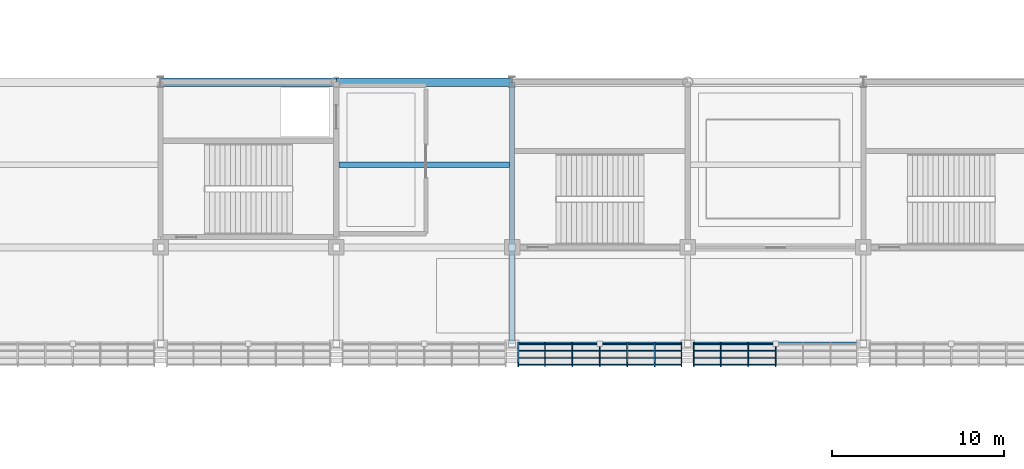
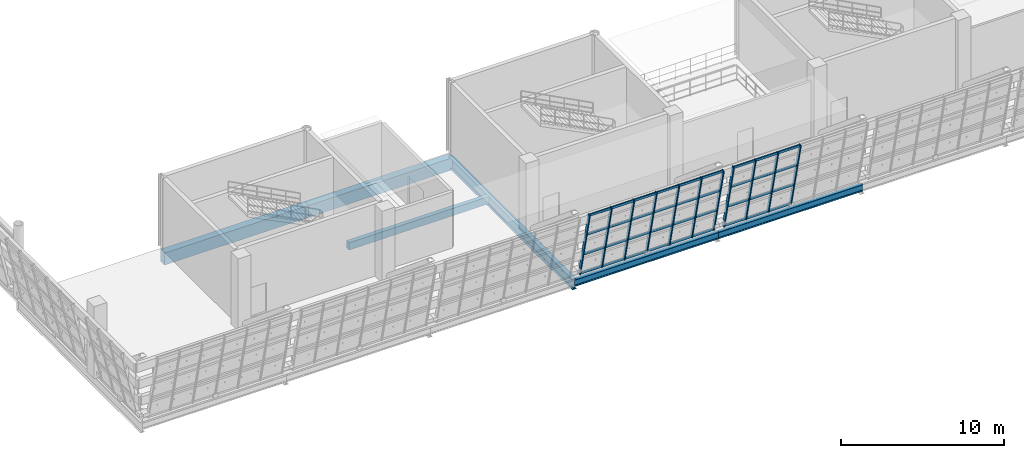
# One storey, part 24 of 175: 47 members, 6 beams, 2 elements without a shape of their own.
"""IFC4 building model written with IfcOpenShell, lengths in metres."""

from ifc_helpers import new_model, si_unit, direction, frame, origin, origin_2d, place, context, subcontext, project, spatial, rectangle, hollow_rectangle, i_section, extrude, material, material_profile, profile_set, type_object, element, aggregate, save


model = new_model("IFC4")

# Units and contexts
model_context = context("Model", 3, precision=1e-05, world=origin(), true_north=direction((0.0, 1.0)))
body_context = subcontext(model_context, "Body", "Model", "MODEL_VIEW")
ifc_project = project(units=[si_unit("LENGTHUNIT", "METRE"), si_unit("AREAUNIT", "SQUARE_METRE"), si_unit("VOLUMEUNIT", "CUBIC_METRE"), si_unit("PLANEANGLEUNIT", "RADIAN"), si_unit("MASSUNIT", "GRAM", prefix="KILO")], contexts=[model_context])

# Site, building, storey
site_placement = place(None, origin())
site = spatial("IfcSite", under=ifc_project, at=site_placement, CompositionType="ELEMENT")
building_placement = place(site_placement, origin())
building = spatial("IfcBuilding", under=site, at=building_placement, Name="Brelvane Convention Centre", CompositionType="ELEMENT")
storey_placement = place(building_placement, frame((0.0, 0.0, 5.39990234375)))
storey = spatial("IfcBuildingStorey", under=building, at=storey_placement, Name="L01", CompositionType="ELEMENT", Elevation=5.39990234375)

# Curtain wall, members
ifc_material_1 = material(Name="Anodised Aluminium Alloy 6063-T6", Category="aluminium")
curtain_wall_type = type_object("IfcCurtainWallType", Name="Curtain Wall CW-HULL-S", PredefinedType="USERDEFINED", material=ifc_material_1)
curtain_wall_1_placement = place(storey_placement, origin())
curtain_wall_1 = element("IfcCurtainWall", 1, at=curtain_wall_1_placement, inside=storey, type_object=curtain_wall_type, Name="Curtain Wall CW-HULL-S L01-HULL-S-L01-04", ObjectType="UNITISED", PredefinedType="USERDEFINED")
ifc_material_2 = material(Name="Anodised Aluminium Alloy 6063-T6", Category="aluminium")
ifc_material_profile_1 = material_profile(ifc_material_2, hollow_rectangle(XDim=0.080078125, YDim=0.239990234375, WallThickness=0.006103515625, InnerFilletRadius=0.006103515625, OuterFilletRadius=0.011962890625, at=origin_2d()), Name="ALU-M 240x80x6.0")
ifc_profile_set_1 = profile_set([ifc_material_profile_1], Name="Anodised Aluminium Alloy 6063-T6")
member_type_1 = type_object("IfcMemberType", Name="Curtain Mullion CW-M1", PredefinedType="MULLION", material=ifc_profile_set_1)
member_1_placement = place(storey_placement, frame((30.9599609375, 13.60009765625, 0.0), z_axis=(0.0, -0.228360162456, 0.973576723326), x_axis=(1.0, 0.0, 0.0)))
member_1 = element("IfcMember", 2, at=member_1_placement, type_object=member_type_1, Name="CW-HULL-S mullion 1", PredefinedType="MULLION", context=body_context, shape_type="SweptSolid", body=[
    extrude(hollow_rectangle(XDim=0.080078125, YDim=0.239990234375, WallThickness=0.006103515625, InnerFilletRadius=0.006103515625, OuterFilletRadius=0.011962890625, at=origin_2d()), origin(), (0.0, 0.0, 1.0), 5.2900390625),
])
member_2_placement = place(storey_placement, frame((32.513427734375, 13.60009765625, 0.0), z_axis=(0.0, -0.228360162456, 0.973576723326), x_axis=(1.0, 0.0, 0.0)))
member_2 = element("IfcMember", 3, at=member_2_placement, type_object=member_type_1, Name="CW-HULL-S mullion 2", PredefinedType="MULLION", context=body_context, shape_type="SweptSolid", body=[
    extrude(hollow_rectangle(XDim=0.080078125, YDim=0.239990234375, WallThickness=0.006103515625, InnerFilletRadius=0.006103515625, OuterFilletRadius=0.011962890625, at=origin_2d()), origin(), (0.0, 0.0, 1.0), 5.2900390625),
])
member_3_placement = place(storey_placement, frame((34.106689453125, 13.60009765625, 0.0), z_axis=(0.0, -0.228360162456, 0.973576723326), x_axis=(1.0, 0.0, 0.0)))
member_3 = element("IfcMember", 4, at=member_3_placement, type_object=member_type_1, Name="CW-HULL-S mullion 3", PredefinedType="MULLION", context=body_context, shape_type="SweptSolid", body=[
    extrude(hollow_rectangle(XDim=0.080078125, YDim=0.239990234375, WallThickness=0.006103515625, InnerFilletRadius=0.006103515625, OuterFilletRadius=0.011962890625, at=origin_2d()), origin(), (0.0, 0.0, 1.0), 5.2900390625),
])
member_4_placement = place(storey_placement, frame((35.699951171875, 13.60009765625, 0.0), z_axis=(0.0, -0.228360162456, 0.973576723326), x_axis=(1.0, 0.0, 0.0)))
member_4 = element("IfcMember", 5, at=member_4_placement, type_object=member_type_1, Name="CW-HULL-S mullion 4", PredefinedType="MULLION", context=body_context, shape_type="SweptSolid", body=[
    extrude(hollow_rectangle(XDim=0.080078125, YDim=0.239990234375, WallThickness=0.006103515625, InnerFilletRadius=0.006103515625, OuterFilletRadius=0.011962890625, at=origin_2d()), origin(), (0.0, 0.0, 1.0), 5.2900390625),
])
member_5_placement = place(storey_placement, frame((37.293212890625, 13.60009765625, 0.0), z_axis=(0.0, -0.228360162456, 0.973576723326), x_axis=(1.0, 0.0, 0.0)))
member_5 = element("IfcMember", 6, at=member_5_placement, type_object=member_type_1, Name="CW-HULL-S mullion 5", PredefinedType="MULLION", context=body_context, shape_type="SweptSolid", body=[
    extrude(hollow_rectangle(XDim=0.080078125, YDim=0.239990234375, WallThickness=0.006103515625, InnerFilletRadius=0.006103515625, OuterFilletRadius=0.011962890625, at=origin_2d()), origin(), (0.0, 0.0, 1.0), 5.2900390625),
])
member_6_placement = place(storey_placement, frame((38.88671875, 13.60009765625, 0.0), z_axis=(0.0, -0.228360162456, 0.973576723326), x_axis=(1.0, 0.0, 0.0)))
member_6 = element("IfcMember", 7, at=member_6_placement, type_object=member_type_1, Name="CW-HULL-S mullion 6", PredefinedType="MULLION", context=body_context, shape_type="SweptSolid", body=[
    extrude(hollow_rectangle(XDim=0.080078125, YDim=0.239990234375, WallThickness=0.006103515625, InnerFilletRadius=0.006103515625, OuterFilletRadius=0.011962890625, at=origin_2d()), origin(), (0.0, 0.0, 1.0), 5.2900390625),
])
member_7_placement = place(storey_placement, frame((40.43994140625, 13.60009765625, 0.0), z_axis=(0.0, -0.228360162456, 0.973576723326), x_axis=(1.0, 0.0, 0.0)))
member_7 = element("IfcMember", 8, at=member_7_placement, type_object=member_type_1, Name="CW-HULL-S mullion 7", PredefinedType="MULLION", context=body_context, shape_type="SweptSolid", body=[
    extrude(hollow_rectangle(XDim=0.080078125, YDim=0.239990234375, WallThickness=0.006103515625, InnerFilletRadius=0.006103515625, OuterFilletRadius=0.011962890625, at=origin_2d()), origin(), (0.0, 0.0, 1.0), 5.2900390625),
])

curtain_wall_2_placement = place(storey_placement, origin())
curtain_wall_2 = element("IfcCurtainWall", 9, at=curtain_wall_2_placement, inside=storey, type_object=curtain_wall_type, Name="Curtain Wall CW-HULL-S L01-HULL-S-L01-05", ObjectType="UNITISED", PredefinedType="USERDEFINED")
member_8_placement = place(storey_placement, frame((41.159912109375, 13.60009765625, 0.0), z_axis=(0.0, -0.228360162456, 0.973576723326), x_axis=(1.0, 0.0, 0.0)))
member_8 = element("IfcMember", 10, at=member_8_placement, type_object=member_type_1, Name="CW-HULL-S mullion 1", PredefinedType="MULLION", context=body_context, shape_type="SweptSolid", body=[
    extrude(hollow_rectangle(XDim=0.080078125, YDim=0.239990234375, WallThickness=0.006103515625, InnerFilletRadius=0.006103515625, OuterFilletRadius=0.011962890625, at=origin_2d()), origin(), (0.0, 0.0, 1.0), 5.2900390625),
])
member_9_placement = place(storey_placement, frame((42.71337890625, 13.60009765625, 0.0), z_axis=(0.0, -0.228360162456, 0.973576723326), x_axis=(1.0, 0.0, 0.0)))
member_9 = element("IfcMember", 11, at=member_9_placement, type_object=member_type_1, Name="CW-HULL-S mullion 2", PredefinedType="MULLION", context=body_context, shape_type="SweptSolid", body=[
    extrude(hollow_rectangle(XDim=0.080078125, YDim=0.239990234375, WallThickness=0.006103515625, InnerFilletRadius=0.006103515625, OuterFilletRadius=0.011962890625, at=origin_2d()), origin(), (0.0, 0.0, 1.0), 5.2900390625),
])
member_10_placement = place(storey_placement, frame((44.306640625, 13.60009765625, 0.0), z_axis=(0.0, -0.228360162456, 0.973576723326), x_axis=(1.0, 0.0, 0.0)))
member_10 = element("IfcMember", 12, at=member_10_placement, type_object=member_type_1, Name="CW-HULL-S mullion 3", PredefinedType="MULLION", context=body_context, shape_type="SweptSolid", body=[
    extrude(hollow_rectangle(XDim=0.080078125, YDim=0.239990234375, WallThickness=0.006103515625, InnerFilletRadius=0.006103515625, OuterFilletRadius=0.011962890625, at=origin_2d()), origin(), (0.0, 0.0, 1.0), 5.2900390625),
])
member_11_placement = place(storey_placement, frame((45.89990234375, 13.60009765625, 0.0), z_axis=(0.0, -0.228360162456, 0.973576723326), x_axis=(1.0, 0.0, 0.0)))
member_11 = element("IfcMember", 13, at=member_11_placement, type_object=member_type_1, Name="CW-HULL-S mullion 4", PredefinedType="MULLION", context=body_context, shape_type="SweptSolid", body=[
    extrude(hollow_rectangle(XDim=0.080078125, YDim=0.239990234375, WallThickness=0.006103515625, InnerFilletRadius=0.006103515625, OuterFilletRadius=0.011962890625, at=origin_2d()), origin(), (0.0, 0.0, 1.0), 5.2900390625),
])

# Member
ifc_material_3 = material(Name="Anodised Aluminium Alloy 6063-T6", Category="aluminium")
ifc_material_profile_2 = material_profile(ifc_material_3, hollow_rectangle(XDim=0.080078125, YDim=0.179931640625, WallThickness=0.0048828125, InnerFilletRadius=0.0048828125, OuterFilletRadius=0.010009765625, at=origin_2d()), Name="ALU-T 180x80x5.0")
ifc_profile_set_2 = profile_set([ifc_material_profile_2], Name="Anodised Aluminium Alloy 6063-T6")
member_type_2 = type_object("IfcMemberType", Name="Curtain Transom CW-T1", PredefinedType="USERDEFINED", material=ifc_profile_set_2)
member_12_placement = place(storey_placement, frame((31.0, 13.590576171875, 0.0400390625), z_axis=(1.0, 0.0, 0.0), x_axis=(0.0, 1.0, 0.0)))
member_12 = element("IfcMember", 14, at=member_12_placement, type_object=member_type_2, Name="CW-HULL-S transom 1.1", ObjectType="TRANSOM", PredefinedType="USERDEFINED", context=body_context, shape_type="SweptSolid", body=[
    extrude(hollow_rectangle(XDim=0.080078125, YDim=0.179931640625, WallThickness=0.0048828125, InnerFilletRadius=0.0048828125, OuterFilletRadius=0.010009765625, at=origin_2d()), origin(), (0.0, 0.0, 1.0), 1.473388671875),
])

member_13_placement = place(storey_placement, frame((31.0, 13.197265625, 1.716796875), z_axis=(1.0, 0.0, 0.0), x_axis=(0.0, 1.0, 0.0)))
member_13 = element("IfcMember", 15, at=member_13_placement, type_object=member_type_2, Name="CW-HULL-S transom 1.2", ObjectType="TRANSOM", PredefinedType="USERDEFINED", context=body_context, shape_type="SweptSolid", body=[
    extrude(hollow_rectangle(XDim=0.080078125, YDim=0.179931640625, WallThickness=0.0048828125, InnerFilletRadius=0.0048828125, OuterFilletRadius=0.010009765625, at=origin_2d()), origin(), (0.0, 0.0, 1.0), 1.473388671875),
])

member_14_placement = place(storey_placement, frame((31.0, 12.794677734375, 3.433349609375), z_axis=(1.0, 0.0, 0.0), x_axis=(0.0, 1.0, 0.0)))
member_14 = element("IfcMember", 16, at=member_14_placement, type_object=member_type_2, Name="CW-HULL-S transom 1.3", ObjectType="TRANSOM", PredefinedType="USERDEFINED", context=body_context, shape_type="SweptSolid", body=[
    extrude(hollow_rectangle(XDim=0.080078125, YDim=0.179931640625, WallThickness=0.0048828125, InnerFilletRadius=0.0048828125, OuterFilletRadius=0.010009765625, at=origin_2d()), origin(), (0.0, 0.0, 1.0), 1.473388671875),
])

member_15_placement = place(storey_placement, frame((31.0, 12.4013671875, 5.110107421875), z_axis=(1.0, 0.0, 0.0), x_axis=(0.0, 1.0, 0.0)))
member_15 = element("IfcMember", 17, at=member_15_placement, type_object=member_type_2, Name="CW-HULL-S transom 1.4", ObjectType="TRANSOM", PredefinedType="USERDEFINED", context=body_context, shape_type="SweptSolid", body=[
    extrude(hollow_rectangle(XDim=0.080078125, YDim=0.179931640625, WallThickness=0.0048828125, InnerFilletRadius=0.0048828125, OuterFilletRadius=0.010009765625, at=origin_2d()), origin(), (0.0, 0.0, 1.0), 1.473388671875),
])

member_16_placement = place(storey_placement, frame((32.55322265625, 13.590576171875, 0.0400390625), z_axis=(1.0, 0.0, 0.0), x_axis=(0.0, 1.0, 0.0)))
member_16 = element("IfcMember", 18, at=member_16_placement, type_object=member_type_2, Name="CW-HULL-S transom 2.1", ObjectType="TRANSOM", PredefinedType="USERDEFINED", context=body_context, shape_type="SweptSolid", body=[
    extrude(hollow_rectangle(XDim=0.080078125, YDim=0.179931640625, WallThickness=0.0048828125, InnerFilletRadius=0.0048828125, OuterFilletRadius=0.010009765625, at=origin_2d()), origin(), (0.0, 0.0, 1.0), 1.513427734375),
])

member_17_placement = place(storey_placement, frame((32.55322265625, 13.197265625, 1.716796875), z_axis=(1.0, 0.0, 0.0), x_axis=(0.0, 1.0, 0.0)))
member_17 = element("IfcMember", 19, at=member_17_placement, type_object=member_type_2, Name="CW-HULL-S transom 2.2", ObjectType="TRANSOM", PredefinedType="USERDEFINED", context=body_context, shape_type="SweptSolid", body=[
    extrude(hollow_rectangle(XDim=0.080078125, YDim=0.179931640625, WallThickness=0.0048828125, InnerFilletRadius=0.0048828125, OuterFilletRadius=0.010009765625, at=origin_2d()), origin(), (0.0, 0.0, 1.0), 1.513427734375),
])

member_18_placement = place(storey_placement, frame((32.55322265625, 12.794677734375, 3.433349609375), z_axis=(1.0, 0.0, 0.0), x_axis=(0.0, 1.0, 0.0)))
member_18 = element("IfcMember", 20, at=member_18_placement, type_object=member_type_2, Name="CW-HULL-S transom 2.3", ObjectType="TRANSOM", PredefinedType="USERDEFINED", context=body_context, shape_type="SweptSolid", body=[
    extrude(hollow_rectangle(XDim=0.080078125, YDim=0.179931640625, WallThickness=0.0048828125, InnerFilletRadius=0.0048828125, OuterFilletRadius=0.010009765625, at=origin_2d()), origin(), (0.0, 0.0, 1.0), 1.513427734375),
])

member_19_placement = place(storey_placement, frame((32.55322265625, 12.4013671875, 5.110107421875), z_axis=(1.0, 0.0, 0.0), x_axis=(0.0, 1.0, 0.0)))
member_19 = element("IfcMember", 21, at=member_19_placement, type_object=member_type_2, Name="CW-HULL-S transom 2.4", ObjectType="TRANSOM", PredefinedType="USERDEFINED", context=body_context, shape_type="SweptSolid", body=[
    extrude(hollow_rectangle(XDim=0.080078125, YDim=0.179931640625, WallThickness=0.0048828125, InnerFilletRadius=0.0048828125, OuterFilletRadius=0.010009765625, at=origin_2d()), origin(), (0.0, 0.0, 1.0), 1.513427734375),
])

member_20_placement = place(storey_placement, frame((34.146728515625, 13.590576171875, 0.0400390625), z_axis=(1.0, 0.0, 0.0), x_axis=(0.0, 1.0, 0.0)))
member_20 = element("IfcMember", 22, at=member_20_placement, type_object=member_type_2, Name="CW-HULL-S transom 3.1", ObjectType="TRANSOM", PredefinedType="USERDEFINED", context=body_context, shape_type="SweptSolid", body=[
    extrude(hollow_rectangle(XDim=0.080078125, YDim=0.179931640625, WallThickness=0.0048828125, InnerFilletRadius=0.0048828125, OuterFilletRadius=0.010009765625, at=origin_2d()), origin(), (0.0, 0.0, 1.0), 1.51318359375),
])

member_21_placement = place(storey_placement, frame((34.146728515625, 13.197265625, 1.716796875), z_axis=(1.0, 0.0, 0.0), x_axis=(0.0, 1.0, 0.0)))
member_21 = element("IfcMember", 23, at=member_21_placement, type_object=member_type_2, Name="CW-HULL-S transom 3.2", ObjectType="TRANSOM", PredefinedType="USERDEFINED", context=body_context, shape_type="SweptSolid", body=[
    extrude(hollow_rectangle(XDim=0.080078125, YDim=0.179931640625, WallThickness=0.0048828125, InnerFilletRadius=0.0048828125, OuterFilletRadius=0.010009765625, at=origin_2d()), origin(), (0.0, 0.0, 1.0), 1.51318359375),
])

member_22_placement = place(storey_placement, frame((34.146728515625, 12.794677734375, 3.433349609375), z_axis=(1.0, 0.0, 0.0), x_axis=(0.0, 1.0, 0.0)))
member_22 = element("IfcMember", 24, at=member_22_placement, type_object=member_type_2, Name="CW-HULL-S transom 3.3", ObjectType="TRANSOM", PredefinedType="USERDEFINED", context=body_context, shape_type="SweptSolid", body=[
    extrude(hollow_rectangle(XDim=0.080078125, YDim=0.179931640625, WallThickness=0.0048828125, InnerFilletRadius=0.0048828125, OuterFilletRadius=0.010009765625, at=origin_2d()), origin(), (0.0, 0.0, 1.0), 1.51318359375),
])

member_23_placement = place(storey_placement, frame((34.146728515625, 12.4013671875, 5.110107421875), z_axis=(1.0, 0.0, 0.0), x_axis=(0.0, 1.0, 0.0)))
member_23 = element("IfcMember", 25, at=member_23_placement, type_object=member_type_2, Name="CW-HULL-S transom 3.4", ObjectType="TRANSOM", PredefinedType="USERDEFINED", context=body_context, shape_type="SweptSolid", body=[
    extrude(hollow_rectangle(XDim=0.080078125, YDim=0.179931640625, WallThickness=0.0048828125, InnerFilletRadius=0.0048828125, OuterFilletRadius=0.010009765625, at=origin_2d()), origin(), (0.0, 0.0, 1.0), 1.51318359375),
])

member_24_placement = place(storey_placement, frame((35.739990234375, 13.590576171875, 0.0400390625), z_axis=(1.0, 0.0, 0.0), x_axis=(0.0, 1.0, 0.0)))
member_24 = element("IfcMember", 26, at=member_24_placement, type_object=member_type_2, Name="CW-HULL-S transom 4.1", ObjectType="TRANSOM", PredefinedType="USERDEFINED", context=body_context, shape_type="SweptSolid", body=[
    extrude(hollow_rectangle(XDim=0.080078125, YDim=0.179931640625, WallThickness=0.0048828125, InnerFilletRadius=0.0048828125, OuterFilletRadius=0.010009765625, at=origin_2d()), origin(), (0.0, 0.0, 1.0), 1.513427734375),
])

member_25_placement = place(storey_placement, frame((35.739990234375, 13.197265625, 1.716796875), z_axis=(1.0, 0.0, 0.0), x_axis=(0.0, 1.0, 0.0)))
member_25 = element("IfcMember", 27, at=member_25_placement, type_object=member_type_2, Name="CW-HULL-S transom 4.2", ObjectType="TRANSOM", PredefinedType="USERDEFINED", context=body_context, shape_type="SweptSolid", body=[
    extrude(hollow_rectangle(XDim=0.080078125, YDim=0.179931640625, WallThickness=0.0048828125, InnerFilletRadius=0.0048828125, OuterFilletRadius=0.010009765625, at=origin_2d()), origin(), (0.0, 0.0, 1.0), 1.513427734375),
])

member_26_placement = place(storey_placement, frame((35.739990234375, 12.794677734375, 3.433349609375), z_axis=(1.0, 0.0, 0.0), x_axis=(0.0, 1.0, 0.0)))
member_26 = element("IfcMember", 28, at=member_26_placement, type_object=member_type_2, Name="CW-HULL-S transom 4.3", ObjectType="TRANSOM", PredefinedType="USERDEFINED", context=body_context, shape_type="SweptSolid", body=[
    extrude(hollow_rectangle(XDim=0.080078125, YDim=0.179931640625, WallThickness=0.0048828125, InnerFilletRadius=0.0048828125, OuterFilletRadius=0.010009765625, at=origin_2d()), origin(), (0.0, 0.0, 1.0), 1.513427734375),
])

member_27_placement = place(storey_placement, frame((35.739990234375, 12.4013671875, 5.110107421875), z_axis=(1.0, 0.0, 0.0), x_axis=(0.0, 1.0, 0.0)))
member_27 = element("IfcMember", 29, at=member_27_placement, type_object=member_type_2, Name="CW-HULL-S transom 4.4", ObjectType="TRANSOM", PredefinedType="USERDEFINED", context=body_context, shape_type="SweptSolid", body=[
    extrude(hollow_rectangle(XDim=0.080078125, YDim=0.179931640625, WallThickness=0.0048828125, InnerFilletRadius=0.0048828125, OuterFilletRadius=0.010009765625, at=origin_2d()), origin(), (0.0, 0.0, 1.0), 1.513427734375),
])

member_28_placement = place(storey_placement, frame((37.333251953125, 13.590576171875, 0.0400390625), z_axis=(1.0, 0.0, 0.0), x_axis=(0.0, 1.0, 0.0)))
member_28 = element("IfcMember", 30, at=member_28_placement, type_object=member_type_2, Name="CW-HULL-S transom 5.1", ObjectType="TRANSOM", PredefinedType="USERDEFINED", context=body_context, shape_type="SweptSolid", body=[
    extrude(hollow_rectangle(XDim=0.080078125, YDim=0.179931640625, WallThickness=0.0048828125, InnerFilletRadius=0.0048828125, OuterFilletRadius=0.010009765625, at=origin_2d()), origin(), (0.0, 0.0, 1.0), 1.513427734375),
])

member_29_placement = place(storey_placement, frame((37.333251953125, 13.197265625, 1.716796875), z_axis=(1.0, 0.0, 0.0), x_axis=(0.0, 1.0, 0.0)))
member_29 = element("IfcMember", 31, at=member_29_placement, type_object=member_type_2, Name="CW-HULL-S transom 5.2", ObjectType="TRANSOM", PredefinedType="USERDEFINED", context=body_context, shape_type="SweptSolid", body=[
    extrude(hollow_rectangle(XDim=0.080078125, YDim=0.179931640625, WallThickness=0.0048828125, InnerFilletRadius=0.0048828125, OuterFilletRadius=0.010009765625, at=origin_2d()), origin(), (0.0, 0.0, 1.0), 1.513427734375),
])

member_30_placement = place(storey_placement, frame((37.333251953125, 12.794677734375, 3.433349609375), z_axis=(1.0, 0.0, 0.0), x_axis=(0.0, 1.0, 0.0)))
member_30 = element("IfcMember", 32, at=member_30_placement, type_object=member_type_2, Name="CW-HULL-S transom 5.3", ObjectType="TRANSOM", PredefinedType="USERDEFINED", context=body_context, shape_type="SweptSolid", body=[
    extrude(hollow_rectangle(XDim=0.080078125, YDim=0.179931640625, WallThickness=0.0048828125, InnerFilletRadius=0.0048828125, OuterFilletRadius=0.010009765625, at=origin_2d()), origin(), (0.0, 0.0, 1.0), 1.513427734375),
])

member_31_placement = place(storey_placement, frame((37.333251953125, 12.4013671875, 5.110107421875), z_axis=(1.0, 0.0, 0.0), x_axis=(0.0, 1.0, 0.0)))
member_31 = element("IfcMember", 33, at=member_31_placement, type_object=member_type_2, Name="CW-HULL-S transom 5.4", ObjectType="TRANSOM", PredefinedType="USERDEFINED", context=body_context, shape_type="SweptSolid", body=[
    extrude(hollow_rectangle(XDim=0.080078125, YDim=0.179931640625, WallThickness=0.0048828125, InnerFilletRadius=0.0048828125, OuterFilletRadius=0.010009765625, at=origin_2d()), origin(), (0.0, 0.0, 1.0), 1.513427734375),
])

member_32_placement = place(storey_placement, frame((38.9267578125, 13.590576171875, 0.0400390625), z_axis=(1.0, 0.0, 0.0), x_axis=(0.0, 1.0, 0.0)))
member_32 = element("IfcMember", 34, at=member_32_placement, type_object=member_type_2, Name="CW-HULL-S transom 6.1", ObjectType="TRANSOM", PredefinedType="USERDEFINED", context=body_context, shape_type="SweptSolid", body=[
    extrude(hollow_rectangle(XDim=0.080078125, YDim=0.179931640625, WallThickness=0.0048828125, InnerFilletRadius=0.0048828125, OuterFilletRadius=0.010009765625, at=origin_2d()), origin(), (0.0, 0.0, 1.0), 1.47314453125),
])

member_33_placement = place(storey_placement, frame((38.9267578125, 13.197265625, 1.716796875), z_axis=(1.0, 0.0, 0.0), x_axis=(0.0, 1.0, 0.0)))
member_33 = element("IfcMember", 35, at=member_33_placement, type_object=member_type_2, Name="CW-HULL-S transom 6.2", ObjectType="TRANSOM", PredefinedType="USERDEFINED", context=body_context, shape_type="SweptSolid", body=[
    extrude(hollow_rectangle(XDim=0.080078125, YDim=0.179931640625, WallThickness=0.0048828125, InnerFilletRadius=0.0048828125, OuterFilletRadius=0.010009765625, at=origin_2d()), origin(), (0.0, 0.0, 1.0), 1.47314453125),
])

member_34_placement = place(storey_placement, frame((38.9267578125, 12.794677734375, 3.433349609375), z_axis=(1.0, 0.0, 0.0), x_axis=(0.0, 1.0, 0.0)))
member_34 = element("IfcMember", 36, at=member_34_placement, type_object=member_type_2, Name="CW-HULL-S transom 6.3", ObjectType="TRANSOM", PredefinedType="USERDEFINED", context=body_context, shape_type="SweptSolid", body=[
    extrude(hollow_rectangle(XDim=0.080078125, YDim=0.179931640625, WallThickness=0.0048828125, InnerFilletRadius=0.0048828125, OuterFilletRadius=0.010009765625, at=origin_2d()), origin(), (0.0, 0.0, 1.0), 1.47314453125),
])

member_35_placement = place(storey_placement, frame((38.9267578125, 12.4013671875, 5.110107421875), z_axis=(1.0, 0.0, 0.0), x_axis=(0.0, 1.0, 0.0)))
member_35 = element("IfcMember", 37, at=member_35_placement, type_object=member_type_2, Name="CW-HULL-S transom 6.4", ObjectType="TRANSOM", PredefinedType="USERDEFINED", context=body_context, shape_type="SweptSolid", body=[
    extrude(hollow_rectangle(XDim=0.080078125, YDim=0.179931640625, WallThickness=0.0048828125, InnerFilletRadius=0.0048828125, OuterFilletRadius=0.010009765625, at=origin_2d()), origin(), (0.0, 0.0, 1.0), 1.47314453125),
])

aggregate(curtain_wall_1, [member_1, member_2, member_3, member_4, member_5, member_6, member_7, member_12, member_13, member_14, member_15, member_16, member_17, member_18, member_19, member_20, member_21, member_22, member_23, member_24, member_25, member_26, member_27, member_28, member_29, member_30, member_31, member_32, member_33, member_34, member_35])

member_36_placement = place(storey_placement, frame((41.199951171875, 13.590576171875, 0.0400390625), z_axis=(1.0, 0.0, 0.0), x_axis=(0.0, 1.0, 0.0)))
member_36 = element("IfcMember", 38, at=member_36_placement, type_object=member_type_2, Name="CW-HULL-S transom 1.1", ObjectType="TRANSOM", PredefinedType="USERDEFINED", context=body_context, shape_type="SweptSolid", body=[
    extrude(hollow_rectangle(XDim=0.080078125, YDim=0.179931640625, WallThickness=0.0048828125, InnerFilletRadius=0.0048828125, OuterFilletRadius=0.010009765625, at=origin_2d()), origin(), (0.0, 0.0, 1.0), 1.473388671875),
])

member_37_placement = place(storey_placement, frame((41.199951171875, 13.197265625, 1.716796875), z_axis=(1.0, 0.0, 0.0), x_axis=(0.0, 1.0, 0.0)))
member_37 = element("IfcMember", 39, at=member_37_placement, type_object=member_type_2, Name="CW-HULL-S transom 1.2", ObjectType="TRANSOM", PredefinedType="USERDEFINED", context=body_context, shape_type="SweptSolid", body=[
    extrude(hollow_rectangle(XDim=0.080078125, YDim=0.179931640625, WallThickness=0.0048828125, InnerFilletRadius=0.0048828125, OuterFilletRadius=0.010009765625, at=origin_2d()), origin(), (0.0, 0.0, 1.0), 1.473388671875),
])

member_38_placement = place(storey_placement, frame((41.199951171875, 12.794677734375, 3.433349609375), z_axis=(1.0, 0.0, 0.0), x_axis=(0.0, 1.0, 0.0)))
member_38 = element("IfcMember", 40, at=member_38_placement, type_object=member_type_2, Name="CW-HULL-S transom 1.3", ObjectType="TRANSOM", PredefinedType="USERDEFINED", context=body_context, shape_type="SweptSolid", body=[
    extrude(hollow_rectangle(XDim=0.080078125, YDim=0.179931640625, WallThickness=0.0048828125, InnerFilletRadius=0.0048828125, OuterFilletRadius=0.010009765625, at=origin_2d()), origin(), (0.0, 0.0, 1.0), 1.473388671875),
])

member_39_placement = place(storey_placement, frame((41.199951171875, 12.4013671875, 5.110107421875), z_axis=(1.0, 0.0, 0.0), x_axis=(0.0, 1.0, 0.0)))
member_39 = element("IfcMember", 41, at=member_39_placement, type_object=member_type_2, Name="CW-HULL-S transom 1.4", ObjectType="TRANSOM", PredefinedType="USERDEFINED", context=body_context, shape_type="SweptSolid", body=[
    extrude(hollow_rectangle(XDim=0.080078125, YDim=0.179931640625, WallThickness=0.0048828125, InnerFilletRadius=0.0048828125, OuterFilletRadius=0.010009765625, at=origin_2d()), origin(), (0.0, 0.0, 1.0), 1.473388671875),
])

member_40_placement = place(storey_placement, frame((42.75341796875, 13.590576171875, 0.0400390625), z_axis=(1.0, 0.0, 0.0), x_axis=(0.0, 1.0, 0.0)))
member_40 = element("IfcMember", 42, at=member_40_placement, type_object=member_type_2, Name="CW-HULL-S transom 2.1", ObjectType="TRANSOM", PredefinedType="USERDEFINED", context=body_context, shape_type="SweptSolid", body=[
    extrude(hollow_rectangle(XDim=0.080078125, YDim=0.179931640625, WallThickness=0.0048828125, InnerFilletRadius=0.0048828125, OuterFilletRadius=0.010009765625, at=origin_2d()), origin(), (0.0, 0.0, 1.0), 1.51318359375),
])

member_41_placement = place(storey_placement, frame((42.75341796875, 13.197265625, 1.716796875), z_axis=(1.0, 0.0, 0.0), x_axis=(0.0, 1.0, 0.0)))
member_41 = element("IfcMember", 43, at=member_41_placement, type_object=member_type_2, Name="CW-HULL-S transom 2.2", ObjectType="TRANSOM", PredefinedType="USERDEFINED", context=body_context, shape_type="SweptSolid", body=[
    extrude(hollow_rectangle(XDim=0.080078125, YDim=0.179931640625, WallThickness=0.0048828125, InnerFilletRadius=0.0048828125, OuterFilletRadius=0.010009765625, at=origin_2d()), origin(), (0.0, 0.0, 1.0), 1.51318359375),
])

member_42_placement = place(storey_placement, frame((42.75341796875, 12.794677734375, 3.433349609375), z_axis=(1.0, 0.0, 0.0), x_axis=(0.0, 1.0, 0.0)))
member_42 = element("IfcMember", 44, at=member_42_placement, type_object=member_type_2, Name="CW-HULL-S transom 2.3", ObjectType="TRANSOM", PredefinedType="USERDEFINED", context=body_context, shape_type="SweptSolid", body=[
    extrude(hollow_rectangle(XDim=0.080078125, YDim=0.179931640625, WallThickness=0.0048828125, InnerFilletRadius=0.0048828125, OuterFilletRadius=0.010009765625, at=origin_2d()), origin(), (0.0, 0.0, 1.0), 1.51318359375),
])

member_43_placement = place(storey_placement, frame((42.75341796875, 12.4013671875, 5.110107421875), z_axis=(1.0, 0.0, 0.0), x_axis=(0.0, 1.0, 0.0)))
member_43 = element("IfcMember", 45, at=member_43_placement, type_object=member_type_2, Name="CW-HULL-S transom 2.4", ObjectType="TRANSOM", PredefinedType="USERDEFINED", context=body_context, shape_type="SweptSolid", body=[
    extrude(hollow_rectangle(XDim=0.080078125, YDim=0.179931640625, WallThickness=0.0048828125, InnerFilletRadius=0.0048828125, OuterFilletRadius=0.010009765625, at=origin_2d()), origin(), (0.0, 0.0, 1.0), 1.51318359375),
])

member_44_placement = place(storey_placement, frame((44.3466796875, 13.590576171875, 0.0400390625), z_axis=(1.0, 0.0, 0.0), x_axis=(0.0, 1.0, 0.0)))
member_44 = element("IfcMember", 46, at=member_44_placement, type_object=member_type_2, Name="CW-HULL-S transom 3.1", ObjectType="TRANSOM", PredefinedType="USERDEFINED", context=body_context, shape_type="SweptSolid", body=[
    extrude(hollow_rectangle(XDim=0.080078125, YDim=0.179931640625, WallThickness=0.0048828125, InnerFilletRadius=0.0048828125, OuterFilletRadius=0.010009765625, at=origin_2d()), origin(), (0.0, 0.0, 1.0), 1.513427734375),
])

member_45_placement = place(storey_placement, frame((44.3466796875, 13.197265625, 1.716796875), z_axis=(1.0, 0.0, 0.0), x_axis=(0.0, 1.0, 0.0)))
member_45 = element("IfcMember", 47, at=member_45_placement, type_object=member_type_2, Name="CW-HULL-S transom 3.2", ObjectType="TRANSOM", PredefinedType="USERDEFINED", context=body_context, shape_type="SweptSolid", body=[
    extrude(hollow_rectangle(XDim=0.080078125, YDim=0.179931640625, WallThickness=0.0048828125, InnerFilletRadius=0.0048828125, OuterFilletRadius=0.010009765625, at=origin_2d()), origin(), (0.0, 0.0, 1.0), 1.513427734375),
])

member_46_placement = place(storey_placement, frame((44.3466796875, 12.794677734375, 3.433349609375), z_axis=(1.0, 0.0, 0.0), x_axis=(0.0, 1.0, 0.0)))
member_46 = element("IfcMember", 48, at=member_46_placement, type_object=member_type_2, Name="CW-HULL-S transom 3.3", ObjectType="TRANSOM", PredefinedType="USERDEFINED", context=body_context, shape_type="SweptSolid", body=[
    extrude(hollow_rectangle(XDim=0.080078125, YDim=0.179931640625, WallThickness=0.0048828125, InnerFilletRadius=0.0048828125, OuterFilletRadius=0.010009765625, at=origin_2d()), origin(), (0.0, 0.0, 1.0), 1.513427734375),
])

member_47_placement = place(storey_placement, frame((44.3466796875, 12.4013671875, 5.110107421875), z_axis=(1.0, 0.0, 0.0), x_axis=(0.0, 1.0, 0.0)))
member_47 = element("IfcMember", 49, at=member_47_placement, type_object=member_type_2, Name="CW-HULL-S transom 3.4", ObjectType="TRANSOM", PredefinedType="USERDEFINED", context=body_context, shape_type="SweptSolid", body=[
    extrude(hollow_rectangle(XDim=0.080078125, YDim=0.179931640625, WallThickness=0.0048828125, InnerFilletRadius=0.0048828125, OuterFilletRadius=0.010009765625, at=origin_2d()), origin(), (0.0, 0.0, 1.0), 1.513427734375),
])

aggregate(curtain_wall_2, [member_8, member_9, member_10, member_11, member_36, member_37, member_38, member_39, member_40, member_41, member_42, member_43, member_44, member_45, member_46, member_47])

# Beams
ifc_material_4 = material(Name="Concrete M40", Category="concrete")
ifc_material_profile_3 = material_profile(ifc_material_4, rectangle(XDim=0.5, YDim=0.89990234375, at=origin_2d()), Name="RC 500x900")
ifc_profile_set_3 = profile_set([ifc_material_profile_3], Name="Concrete M40")
beam_type_1 = type_object("IfcBeamType", Name="RC Beam B-RC4 (RC 500x900)", PredefinedType="BEAM", material=ifc_profile_set_3)
beam_1_placement = place(storey_placement, frame((10.199951171875, 28.800048828125, -0.7099609375), z_axis=(1.0, 0.0, 0.0), x_axis=(0.0, 1.0, 0.0)))
element("IfcBeam", 50, at=beam_1_placement, inside=storey, type_object=beam_type_1, Name="L01 Beam 2-3/D", PredefinedType="BEAM", context=body_context, shape_type="SweptSolid", body=[
    extrude(rectangle(XDim=0.5, YDim=0.89990234375, at=origin_2d()), origin(), (0.0, 0.0, 1.0), 10.199951171875),
])
beam_2_placement = place(storey_placement, frame((20.39990234375, 28.800048828125, -0.7099609375), z_axis=(1.0, 0.0, 0.0), x_axis=(0.0, 1.0, 0.0)))
element("IfcBeam", 51, at=beam_2_placement, inside=storey, type_object=beam_type_1, Name="L01 Beam 3-4/D", PredefinedType="BEAM", context=body_context, shape_type="SweptSolid", body=[
    extrude(rectangle(XDim=0.5, YDim=0.89990234375, at=origin_2d()), origin(), (0.0, 0.0, 1.0), 10.2001953125),
])
ifc_material_5 = material(Name="Concrete M40", Category="concrete")
ifc_material_profile_4 = material_profile(ifc_material_5, rectangle(XDim=0.300048828125, YDim=0.550048828125, at=origin_2d()), Name="RC 300x550")
ifc_profile_set_4 = profile_set([ifc_material_profile_4], Name="Concrete M40")
beam_type_2 = type_object("IfcBeamType", Name="RC Joist J-RC1 (RC 300x550)", PredefinedType="JOIST", material=ifc_profile_set_4)
beam_3_placement = place(storey_placement, frame((20.550048828125, 24.0, -0.534912109375), z_axis=(1.0, 0.0, 0.0), x_axis=(0.0, 1.0, 0.0)))
element("IfcBeam", 52, at=beam_3_placement, inside=storey, type_object=beam_type_2, Name="L01 Secondary Joist 3-4/CD", PredefinedType="JOIST", context=body_context, shape_type="SweptSolid", body=[
    extrude(rectangle(XDim=0.300048828125, YDim=0.550048828125, at=origin_2d()), origin(), (0.0, 0.0, 1.0), 9.89990234375),
])
ifc_material_6 = material(Name="Steel E450 (450 MPa)", Category="steel")
ifc_material_profile_5 = material_profile(ifc_material_6, i_section(OverallWidth=0.300048828125, OverallDepth=0.800048828125, WebThickness=0.015380859375, FlangeThickness=0.030029296875, FilletRadius=0.027099609375, at=origin_2d()), Name="NPB 800x300")
ifc_profile_set_5 = profile_set([ifc_material_profile_5], Name="Steel E450 (450 MPa)")
beam_type_3 = type_object("IfcBeamType", Name="Steel Beam B-ST2 (NPB 800x300)", PredefinedType="BEAM", material=ifc_profile_set_5)
beam_4_placement = place(storey_placement, frame((30.60009765625, 13.60009765625, -0.659912109375), z_axis=(0.0, 1.0, 0.0), x_axis=(-1.0, 0.0, 0.0)))
element("IfcBeam", 53, at=beam_4_placement, inside=storey, type_object=beam_type_3, Name="L01 Hull Cantilever Girder 4", PredefinedType="BEAM", context=body_context, shape_type="SweptSolid", body=[
    extrude(i_section(OverallWidth=0.300048828125, OverallDepth=0.800048828125, WebThickness=0.015380859375, FlangeThickness=0.030029296875, FilletRadius=0.027099609375, at=origin_2d()), origin(), (0.0, 0.0, 1.0), 15.199951171875),
])
ifc_material_7 = material(Name="Steel E350 (350 MPa)", Category="steel")
ifc_material_profile_6 = material_profile(ifc_material_7, i_section(OverallWidth=0.25, OverallDepth=0.5, WebThickness=0.010009765625, FlangeThickness=0.0146484375, FilletRadius=0.01611328125, at=origin_2d()), Name="ISWB 500")
ifc_profile_set_6 = profile_set([ifc_material_profile_6], Name="Steel E350 (350 MPa)")
beam_type_4 = type_object("IfcBeamType", Name="Steel Spandrel SP-ST1 (ISWB 500)", PredefinedType="SPANDREL", material=ifc_profile_set_6)
for number, where, z_axis, x_axis, name in (
    (54, (30.60009765625, 13.60009765625, -0.510009765625), (1.0, 0.0, 0.0), (0.0, 1.0, 0.0), "L01 Hull Overhang Edge Spandrel 4"),
    (55, (40.800048828125, 13.60009765625, -0.510009765625), (1.0, 0.0, 0.0), (0.0, 1.0, 0.0), "L01 Hull Overhang Edge Spandrel 5"),
):
    element("IfcBeam", number, at=place(storey_placement, frame(where, z_axis=z_axis, x_axis=x_axis)), inside=storey, type_object=beam_type_4, Name=name, PredefinedType="SPANDREL", context=body_context, shape_type="SweptSolid", body=[
        extrude(i_section(OverallWidth=0.25, OverallDepth=0.5, WebThickness=0.010009765625, FlangeThickness=0.0146484375, FilletRadius=0.01611328125, at=origin_2d()), origin(), (0.0, 0.0, 1.0), 10.199951171875),
    ])

save(model, "model.ifc")
